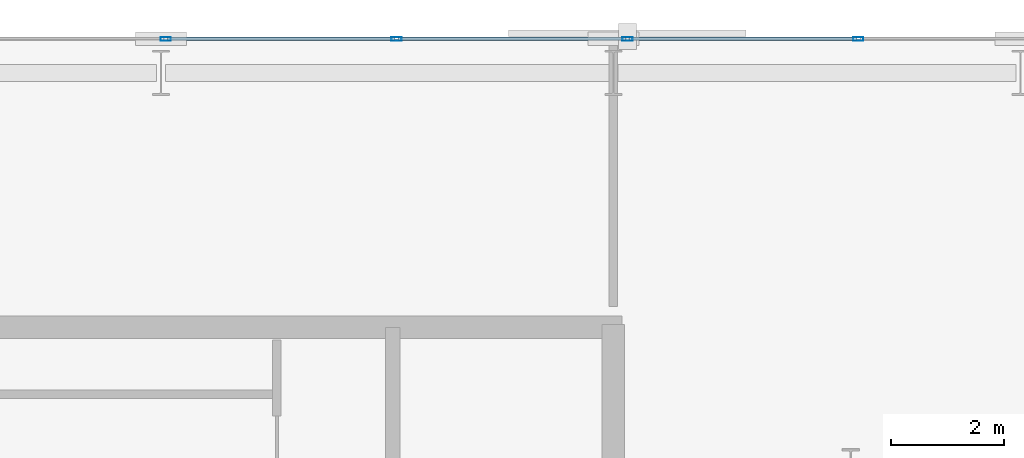
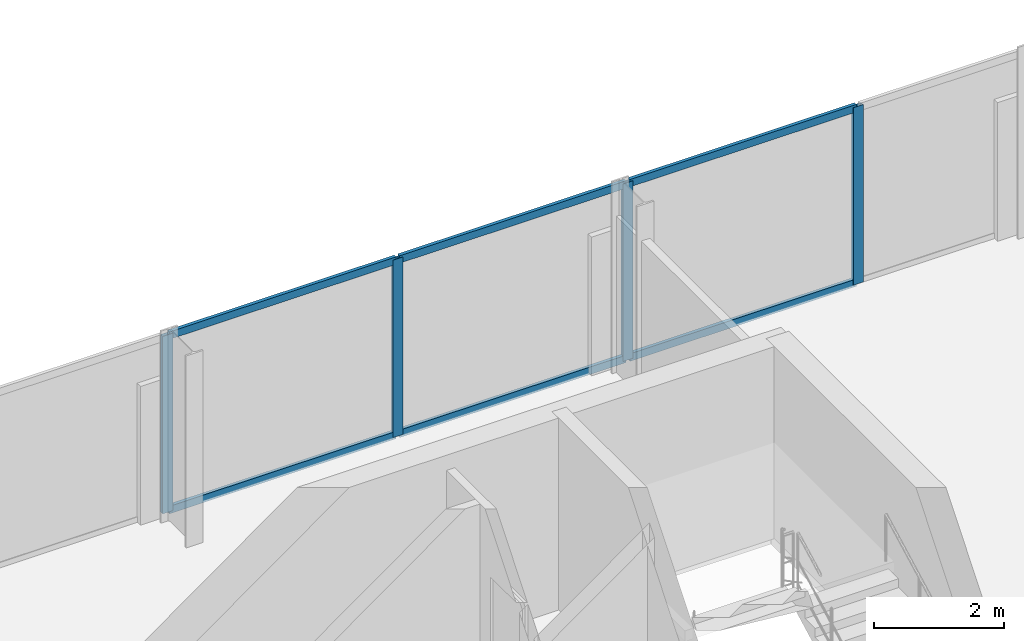
# One storey, part 26 of 33: 10 members, 1 element without a shape of its own.
"""IFC4 building model written with IfcOpenShell, lengths in metres."""

from ifc_helpers import new_model, si_unit, direction, frame, origin, origin_2d, place, context, subcontext, project, spatial, hollow_rectangle, extrude, material, layer, layer_set, material_profile, profile_set, type_object, element, aggregate, save


model = new_model("IFC4")

# Units and contexts
model_context = context("Model", 3, precision=1e-05, world=origin(), true_north=direction((0.0, 1.0)))
body_context = subcontext(model_context, "Body", "Model", "MODEL_VIEW")
ifc_project = project(units=[si_unit("LENGTHUNIT", "METRE"), si_unit("AREAUNIT", "SQUARE_METRE"), si_unit("VOLUMEUNIT", "CUBIC_METRE"), si_unit("PLANEANGLEUNIT", "RADIAN"), si_unit("MASSUNIT", "GRAM", prefix="KILO")], contexts=[model_context])

# Site, building, storey
site_placement = place(None, origin())
site = spatial("IfcSite", under=ifc_project, at=site_placement, CompositionType="ELEMENT")
building_placement = place(site_placement, origin())
building = spatial("IfcBuilding", under=site, at=building_placement, Name="Catumbela Crestline Tower", CompositionType="ELEMENT")
storey_placement = place(building_placement, frame((0.0, 0.0, 43.8)))
storey = spatial("IfcBuildingStorey", under=building, at=storey_placement, Name="L10", CompositionType="ELEMENT", Elevation=43.8)

# Curtain wall, members
ifc_material = material(Name="Aluminium alloy AW-6060-T66", Category="aluminium")
ifc_layer = layer(ifc_material, 0.18, Name="Aluminium alloy AW-6060-T66")
ifc_layer_set = layer_set([ifc_layer], Name="Aluminium alloy AW-6060-T66")
curtain_wall_type = type_object("IfcCurtainWallType", Name="CWU-Z1", PredefinedType="USERDEFINED", material=ifc_layer_set)
curtain_wall_placement = place(storey_placement, origin())
curtain_wall = element("IfcCurtainWall", 1, at=curtain_wall_placement, inside=storey, type_object=curtain_wall_type, Name="L10 Unitised Curtain Wall CW-L10-E7S1", ObjectType="UNITISED", PredefinedType="USERDEFINED")
ifc_material_profile_1 = material_profile(ifc_material, hollow_rectangle(XDim=0.065, YDim=0.18, WallThickness=0.004, at=origin_2d()), Name="ALU 180x65x4")
ifc_profile_set_1 = profile_set([ifc_material_profile_1], Name="Aluminium alloy AW-6060-T66")
member_type_1 = type_object("IfcMemberType", Name="MUL-180X65", PredefinedType="MULLION", material=ifc_profile_set_1)
member_1_placement = place(storey_placement, frame((44.3333, 48.0, 0.0), z_axis=(0.0, 0.0, 1.0), x_axis=(0.0, -1.0, 0.0)))
member_1 = element("IfcMember", 2, at=member_1_placement, type_object=member_type_1, Name="CWU-Z1 mullion 3", PredefinedType="MULLION", context=body_context, shape_type="SweptSolid", body=[
    extrude(hollow_rectangle(XDim=0.065, YDim=0.18, WallThickness=0.004, at=origin_2d()), origin(), (0.0, 0.0, 1.0), 3.33),
])
member_2_placement = place(storey_placement, frame((40.25, 48.0, 0.0), z_axis=(0.0, 0.0, 1.0), x_axis=(0.0, -1.0, 0.0)))
member_2 = element("IfcMember", 3, at=member_2_placement, type_object=member_type_1, Name="CWU-Z1 mullion 4", PredefinedType="MULLION", context=body_context, shape_type="SweptSolid", body=[
    extrude(hollow_rectangle(XDim=0.065, YDim=0.18, WallThickness=0.004, at=origin_2d()), origin(), (0.0, 0.0, 1.0), 3.33),
])
member_3_placement = place(storey_placement, frame((36.1667, 48.0, 0.0), z_axis=(0.0, 0.0, 1.0), x_axis=(0.0, -1.0, 0.0)))
member_3 = element("IfcMember", 4, at=member_3_placement, type_object=member_type_1, Name="CWU-Z1 mullion 5", PredefinedType="MULLION", context=body_context, shape_type="SweptSolid", body=[
    extrude(hollow_rectangle(XDim=0.065, YDim=0.18, WallThickness=0.004, at=origin_2d()), origin(), (0.0, 0.0, 1.0), 3.33),
])
member_4_placement = place(storey_placement, frame((32.0833, 48.0, 0.0), z_axis=(0.0, 0.0, 1.0), x_axis=(0.0, -1.0, 0.0)))
member_4 = element("IfcMember", 5, at=member_4_placement, type_object=member_type_1, Name="CWU-Z1 mullion 6", PredefinedType="MULLION", context=body_context, shape_type="SweptSolid", body=[
    extrude(hollow_rectangle(XDim=0.065, YDim=0.18, WallThickness=0.004, at=origin_2d()), origin(), (0.0, 0.0, 1.0), 3.33),
])
ifc_material_profile_2 = material_profile(ifc_material, hollow_rectangle(XDim=0.06, YDim=0.14, WallThickness=0.004, at=origin_2d()), Name="ALU 140x60x4")
ifc_profile_set_2 = profile_set([ifc_material_profile_2], Name="Aluminium alloy AW-6060-T66")
member_type_2 = type_object("IfcMemberType", Name="TRN-140X60", PredefinedType="USERDEFINED", material=ifc_profile_set_2)
member_5_placement = place(storey_placement, frame((44.3008, 48.0, 0.03), z_axis=(-1.0, 0.0, 0.0), x_axis=(0.0, -1.0, 0.0)))
member_5 = element("IfcMember", 6, at=member_5_placement, type_object=member_type_2, Name="CWU-Z1 transom 3.1", ObjectType="TRANSOM", PredefinedType="USERDEFINED", context=body_context, shape_type="SweptSolid", body=[
    extrude(hollow_rectangle(XDim=0.06, YDim=0.14, WallThickness=0.004, at=origin_2d()), origin(), (0.0, 0.0, 1.0), 4.0183),
])
member_6_placement = place(storey_placement, frame((44.3008, 48.0, 3.3), z_axis=(-1.0, 0.0, 0.0), x_axis=(0.0, -1.0, 0.0)))
member_6 = element("IfcMember", 7, at=member_6_placement, type_object=member_type_2, Name="CWU-Z1 transom 3.2", ObjectType="TRANSOM", PredefinedType="USERDEFINED", context=body_context, shape_type="SweptSolid", body=[
    extrude(hollow_rectangle(XDim=0.06, YDim=0.14, WallThickness=0.004, at=origin_2d()), origin(), (0.0, 0.0, 1.0), 4.0183),
])
member_7_placement = place(storey_placement, frame((40.2175, 48.0, 0.03), z_axis=(-1.0, 0.0, 0.0), x_axis=(0.0, -1.0, 0.0)))
member_7 = element("IfcMember", 8, at=member_7_placement, type_object=member_type_2, Name="CWU-Z1 transom 4.1", ObjectType="TRANSOM", PredefinedType="USERDEFINED", context=body_context, shape_type="SweptSolid", body=[
    extrude(hollow_rectangle(XDim=0.06, YDim=0.14, WallThickness=0.004, at=origin_2d()), origin(), (0.0, 0.0, 1.0), 4.0183),
])
member_8_placement = place(storey_placement, frame((40.2175, 48.0, 3.3), z_axis=(-1.0, 0.0, 0.0), x_axis=(0.0, -1.0, 0.0)))
member_8 = element("IfcMember", 9, at=member_8_placement, type_object=member_type_2, Name="CWU-Z1 transom 4.2", ObjectType="TRANSOM", PredefinedType="USERDEFINED", context=body_context, shape_type="SweptSolid", body=[
    extrude(hollow_rectangle(XDim=0.06, YDim=0.14, WallThickness=0.004, at=origin_2d()), origin(), (0.0, 0.0, 1.0), 4.0183),
])
member_9_placement = place(storey_placement, frame((36.1342, 48.0, 0.03), z_axis=(-1.0, 0.0, 0.0), x_axis=(0.0, -1.0, 0.0)))
member_9 = element("IfcMember", 10, at=member_9_placement, type_object=member_type_2, Name="CWU-Z1 transom 5.1", ObjectType="TRANSOM", PredefinedType="USERDEFINED", context=body_context, shape_type="SweptSolid", body=[
    extrude(hollow_rectangle(XDim=0.06, YDim=0.14, WallThickness=0.004, at=origin_2d()), origin(), (0.0, 0.0, 1.0), 4.0184),
])
member_10_placement = place(storey_placement, frame((36.1342, 48.0, 3.3), z_axis=(-1.0, 0.0, 0.0), x_axis=(0.0, -1.0, 0.0)))
member_10 = element("IfcMember", 11, at=member_10_placement, type_object=member_type_2, Name="CWU-Z1 transom 5.2", ObjectType="TRANSOM", PredefinedType="USERDEFINED", context=body_context, shape_type="SweptSolid", body=[
    extrude(hollow_rectangle(XDim=0.06, YDim=0.14, WallThickness=0.004, at=origin_2d()), origin(), (0.0, 0.0, 1.0), 4.0184),
])
aggregate(curtain_wall, [member_1, member_2, member_3, member_4, member_5, member_6, member_7, member_8, member_9, member_10])

save(model, "model.ifc")
